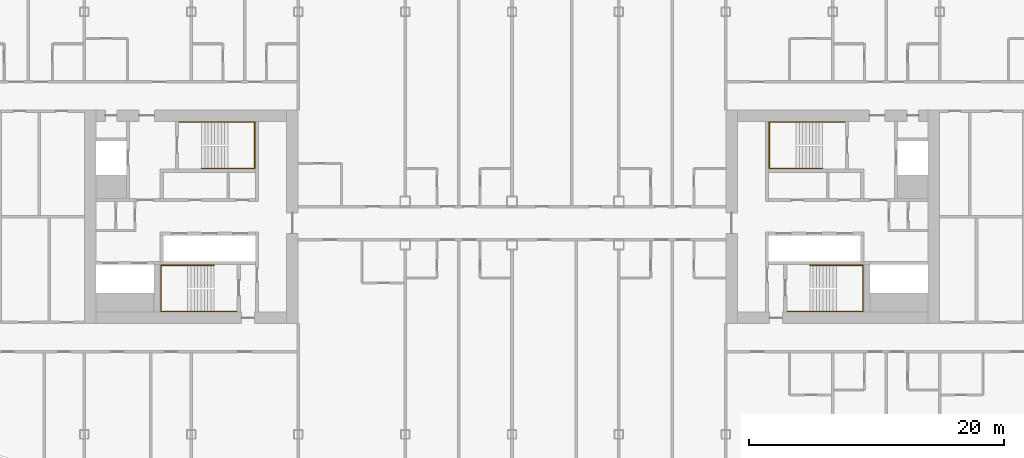
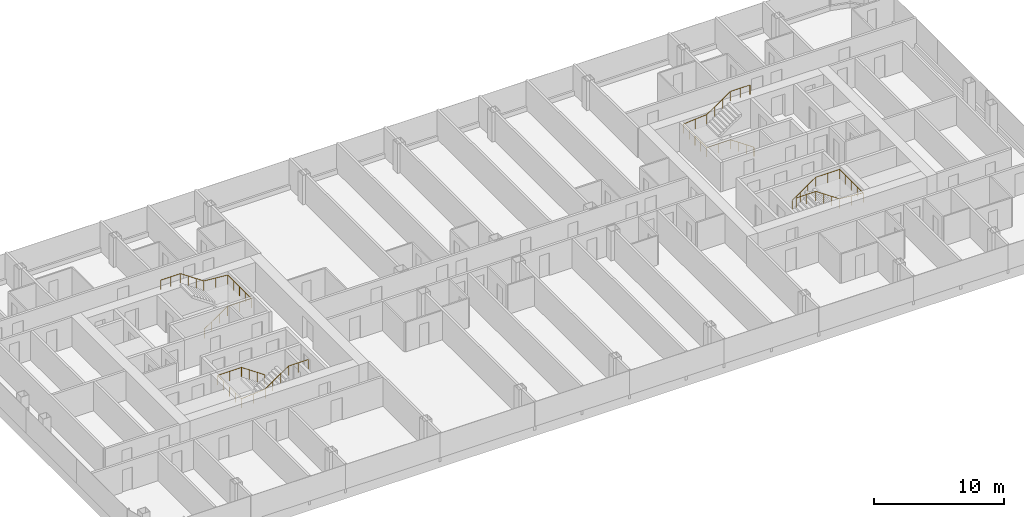
# One storey, part 26 of 26: 4 railings.
"""IFC4 building model written with IfcOpenShell, lengths in metres."""

from ifc_helpers import new_model, si_unit, direction, frame, origin, origin_2d, place, context, subcontext, project, spatial, circle, extrude, material, type_object, element, save


model = new_model("IFC4")

# Units and contexts
model_context = context("Model", 3, precision=1e-05, world=origin(), true_north=direction((0.0, 1.0)))
body_context = subcontext(model_context, "Body", "Model", "MODEL_VIEW")
ifc_project = project(units=[si_unit("LENGTHUNIT", "METRE"), si_unit("AREAUNIT", "SQUARE_METRE"), si_unit("VOLUMEUNIT", "CUBIC_METRE"), si_unit("PLANEANGLEUNIT", "RADIAN"), si_unit("MASSUNIT", "GRAM", prefix="KILO")], contexts=[model_context])

# Site, building, storey
site_placement = place(None, origin())
site = spatial("IfcSite", under=ifc_project, at=site_placement, CompositionType="ELEMENT")
building_placement = place(site_placement, origin())
building = spatial("IfcBuilding", under=site, at=building_placement, Name="Hakoniwa Tower and Hamabe Station Hall", CompositionType="ELEMENT")
storey_placement = place(building_placement, frame((0.0, 0.0, 153.39990234375)))
storey = spatial("IfcBuildingStorey", under=building, at=storey_placement, Name="L43", CompositionType="ELEMENT", Elevation=153.39990234375)

# Railings
ifc_material = material(Name="Stainless steel SUS304", Category="steel")
railing_type = type_object("IfcRailingType", Name="STAIR HANDRAIL 900", PredefinedType="HANDRAIL", material=ifc_material)
railing_1_placement = place(storey_placement, frame((-24.39990234375, 3.81005859375, 0.177978515625)))
element("IfcRailing", 1, at=railing_1_placement, inside=storey, type_object=railing_type, Name="Handrail ST-1 L43 1", PredefinedType="HANDRAIL", context=body_context, shape_type="SweptSolid", body=[
    extrude(circle(Radius=0.02392578125, at=origin_2d()), frame((0.0, 0.0, 0.8759765625), z_axis=(0.825478349766, 0.0, 0.564433781827), x_axis=(0.0, 1.0, 0.0)), (0.0, 0.0, 1.0), 2.51953125),
    extrude(circle(Radius=0.02392578125, at=origin_2d()), frame((2.079833984375, 0.0, 2.2978515625), z_axis=(1.0, 0.0, 0.0), x_axis=(0.0, 1.0, 0.0)), (0.0, 0.0, 1.0), 2.110107421875),
    extrude(circle(Radius=0.02392578125, at=origin_2d()), frame((4.18994140625, 0.0, 2.2978515625), z_axis=(0.0, 1.0, 0.0), x_axis=(-1.0, 0.0, 0.0)), (0.0, 0.0, 1.0), 3.6298828125),
    extrude(circle(Radius=0.02392578125, at=origin_2d()), frame((4.18994140625, 3.6298828125, 2.2978515625), z_axis=(-0.996471417081, 0.0, 0.083932800143), x_axis=(0.0, -1.0, 0.0)), (0.0, 0.0, 1.0), 2.11767578125),
    extrude(circle(Radius=0.02392578125, at=origin_2d()), frame((2.079833984375, 3.6298828125, 2.4755859375), z_axis=(-0.825433201882, 0.0, 0.564499804456), x_axis=(0.0, -1.0, 0.0)), (0.0, 0.0, 1.0), 2.519775390625),
    extrude(circle(Radius=0.02392578125, at=origin_2d()), frame((0.0, 3.6298828125, 3.89794921875), z_axis=(-1.0, 0.0, 0.0), x_axis=(0.0, -1.0, 0.0)), (0.0, 0.0, 1.0), 1.739990234375),
    extrude(circle(Radius=0.02099609375, at=origin_2d()), origin(), (0.0, 0.0, 1.0), 0.851806640625),
    extrude(circle(Radius=0.02099609375, at=origin_2d()), frame((0.693359375, 0.0, 0.47412109375)), (0.0, 0.0, 1.0), 0.851806640625),
    extrude(circle(Radius=0.02099609375, at=origin_2d()), frame((1.386474609375, 0.0, 0.947998046875)), (0.0, 0.0, 1.0), 0.851806640625),
    extrude(circle(Radius=0.02099609375, at=origin_2d()), frame((2.079833984375, 0.0, 1.422119140625)), (0.0, 0.0, 1.0), 0.851806640625),
    extrude(circle(Radius=0.02099609375, at=origin_2d()), frame((3.134765625, 0.0, 1.422119140625)), (0.0, 0.0, 1.0), 0.851806640625),
    extrude(circle(Radius=0.02099609375, at=origin_2d()), frame((4.18994140625, 0.0, 1.422119140625)), (0.0, 0.0, 1.0), 0.851806640625),
    extrude(circle(Radius=0.02099609375, at=origin_2d()), frame((4.18994140625, 0.907470703125, 1.422119140625)), (0.0, 0.0, 1.0), 0.851806640625),
    extrude(circle(Radius=0.02099609375, at=origin_2d()), frame((4.18994140625, 1.81494140625, 1.422119140625)), (0.0, 0.0, 1.0), 0.851806640625),
    extrude(circle(Radius=0.02099609375, at=origin_2d()), frame((4.18994140625, 2.722412109375, 1.422119140625)), (0.0, 0.0, 1.0), 0.851806640625),
    extrude(circle(Radius=0.02099609375, at=origin_2d()), frame((4.18994140625, 3.6298828125, 1.422119140625)), (0.0, 0.0, 1.0), 0.851806640625),
    extrude(circle(Radius=0.02099609375, at=origin_2d()), frame((3.134765625, 3.6298828125, 1.510986328125)), (0.0, 0.0, 1.0), 0.851806640625),
    extrude(circle(Radius=0.02099609375, at=origin_2d()), frame((2.079833984375, 3.6298828125, 1.599853515625)), (0.0, 0.0, 1.0), 0.851806640625),
    extrude(circle(Radius=0.02099609375, at=origin_2d()), frame((1.386474609375, 3.6298828125, 2.073974609375)), (0.0, 0.0, 1.0), 0.851806640625),
    extrude(circle(Radius=0.02099609375, at=origin_2d()), frame((0.693359375, 3.6298828125, 2.548095703125)), (0.0, 0.0, 1.0), 0.851806640625),
    extrude(circle(Radius=0.02099609375, at=origin_2d()), frame((0.0, 3.6298828125, 3.022216796875)), (0.0, 0.0, 1.0), 0.851806640625),
    extrude(circle(Radius=0.02099609375, at=origin_2d()), frame((-0.8701171875, 3.6298828125, 3.022216796875)), (0.0, 0.0, 1.0), 0.851806640625),
    extrude(circle(Radius=0.02099609375, at=origin_2d()), frame((-1.739990234375, 3.6298828125, 3.022216796875)), (0.0, 0.0, 1.0), 0.851806640625),
])
railing_2_placement = place(storey_placement, frame((-23.39990234375, -3.81005859375, 0.177978515625)))
element("IfcRailing", 2, at=railing_2_placement, inside=storey, type_object=railing_type, Name="Handrail ST-2 L43 1", PredefinedType="HANDRAIL", context=body_context, shape_type="SweptSolid", body=[
    extrude(circle(Radius=0.02392578125, at=origin_2d()), frame((0.0, 0.0, 0.8759765625), z_axis=(-0.82550921652, 0.0, 0.564388636881), x_axis=(0.0, -1.0, 0.0)), (0.0, 0.0, 1.0), 2.519775390625),
    extrude(circle(Radius=0.02392578125, at=origin_2d()), frame((-2.080078125, 0.0, 2.2978515625), z_axis=(-1.0, 0.0, 0.0), x_axis=(0.0, -1.0, 0.0)), (0.0, 0.0, 1.0), 2.110107421875),
    extrude(circle(Radius=0.02392578125, at=origin_2d()), frame((-4.190185546875, 0.0, 2.2978515625), z_axis=(0.0, -1.0, 0.0), x_axis=(1.0, 0.0, 0.0)), (0.0, 0.0, 1.0), 3.6298828125),
    extrude(circle(Radius=0.02392578125, at=origin_2d()), frame((-4.190185546875, -3.6298828125, 2.2978515625), z_axis=(0.996471417081, 0.0, 0.083932800143), x_axis=(0.0, 1.0, 0.0)), (0.0, 0.0, 1.0), 2.11767578125),
    extrude(circle(Radius=0.02392578125, at=origin_2d()), frame((-2.080078125, -3.6298828125, 2.4755859375), z_axis=(0.825464074169, 0.0, 0.564454659168), x_axis=(0.0, 1.0, 0.0)), (0.0, 0.0, 1.0), 2.519775390625),
    extrude(circle(Radius=0.02392578125, at=origin_2d()), frame((0.0, -3.6298828125, 3.89794921875), z_axis=(1.0, 0.0, 0.0), x_axis=(0.0, 1.0, 0.0)), (0.0, 0.0, 1.0), 1.739990234375),
    extrude(circle(Radius=0.02099609375, at=origin_2d()), origin(), (0.0, 0.0, 1.0), 0.851806640625),
    extrude(circle(Radius=0.02099609375, at=origin_2d()), frame((-0.693359375, 0.0, 0.47412109375)), (0.0, 0.0, 1.0), 0.851806640625),
    extrude(circle(Radius=0.02099609375, at=origin_2d()), frame((-1.38671875, 0.0, 0.947998046875)), (0.0, 0.0, 1.0), 0.851806640625),
    extrude(circle(Radius=0.02099609375, at=origin_2d()), frame((-2.080078125, 0.0, 1.422119140625)), (0.0, 0.0, 1.0), 0.851806640625),
    extrude(circle(Radius=0.02099609375, at=origin_2d()), frame((-3.13525390625, 0.0, 1.422119140625)), (0.0, 0.0, 1.0), 0.851806640625),
    extrude(circle(Radius=0.02099609375, at=origin_2d()), frame((-4.190185546875, 0.0, 1.422119140625)), (0.0, 0.0, 1.0), 0.851806640625),
    extrude(circle(Radius=0.02099609375, at=origin_2d()), frame((-4.190185546875, -0.907470703125, 1.422119140625)), (0.0, 0.0, 1.0), 0.851806640625),
    extrude(circle(Radius=0.02099609375, at=origin_2d()), frame((-4.190185546875, -1.81494140625, 1.422119140625)), (0.0, 0.0, 1.0), 0.851806640625),
    extrude(circle(Radius=0.02099609375, at=origin_2d()), frame((-4.190185546875, -2.722412109375, 1.422119140625)), (0.0, 0.0, 1.0), 0.851806640625),
    extrude(circle(Radius=0.02099609375, at=origin_2d()), frame((-4.190185546875, -3.6298828125, 1.422119140625)), (0.0, 0.0, 1.0), 0.851806640625),
    extrude(circle(Radius=0.02099609375, at=origin_2d()), frame((-3.13525390625, -3.6298828125, 1.510986328125)), (0.0, 0.0, 1.0), 0.851806640625),
    extrude(circle(Radius=0.02099609375, at=origin_2d()), frame((-2.080078125, -3.6298828125, 1.599853515625)), (0.0, 0.0, 1.0), 0.851806640625),
    extrude(circle(Radius=0.02099609375, at=origin_2d()), frame((-1.38671875, -3.6298828125, 2.073974609375)), (0.0, 0.0, 1.0), 0.851806640625),
    extrude(circle(Radius=0.02099609375, at=origin_2d()), frame((-0.693359375, -3.6298828125, 2.548095703125)), (0.0, 0.0, 1.0), 0.851806640625),
    extrude(circle(Radius=0.02099609375, at=origin_2d()), frame((0.0, -3.6298828125, 3.022216796875)), (0.0, 0.0, 1.0), 0.851806640625),
    extrude(circle(Radius=0.02099609375, at=origin_2d()), frame((0.8701171875, -3.6298828125, 3.022216796875)), (0.0, 0.0, 1.0), 0.851806640625),
    extrude(circle(Radius=0.02099609375, at=origin_2d()), frame((1.739990234375, -3.6298828125, 3.022216796875)), (0.0, 0.0, 1.0), 0.851806640625),
])
railing_3_placement = place(storey_placement, frame((24.39990234375, 3.81005859375, 0.177978515625)))
element("IfcRailing", 3, at=railing_3_placement, inside=storey, type_object=railing_type, Name="Handrail ST-3 L43 1", PredefinedType="HANDRAIL", context=body_context, shape_type="SweptSolid", body=[
    extrude(circle(Radius=0.02392578125, at=origin_2d()), frame((0.0, 0.0, 0.8759765625), z_axis=(-0.825478349766, 0.0, 0.564433781827), x_axis=(0.0, -1.0, 0.0)), (0.0, 0.0, 1.0), 2.51953125),
    extrude(circle(Radius=0.02392578125, at=origin_2d()), frame((-2.079833984375, 0.0, 2.2978515625), z_axis=(-1.0, 0.0, 0.0), x_axis=(0.0, -1.0, 0.0)), (0.0, 0.0, 1.0), 2.110107421875),
    extrude(circle(Radius=0.02392578125, at=origin_2d()), frame((-4.18994140625, 0.0, 2.2978515625), z_axis=(0.0, 1.0, 0.0), x_axis=(-1.0, 0.0, 0.0)), (0.0, 0.0, 1.0), 3.6298828125),
    extrude(circle(Radius=0.02392578125, at=origin_2d()), frame((-4.18994140625, 3.6298828125, 2.2978515625), z_axis=(0.996471417081, 0.0, 0.083932800143), x_axis=(0.0, 1.0, 0.0)), (0.0, 0.0, 1.0), 2.11767578125),
    extrude(circle(Radius=0.02392578125, at=origin_2d()), frame((-2.079833984375, 3.6298828125, 2.4755859375), z_axis=(0.825433201882, 0.0, 0.564499804456), x_axis=(0.0, 1.0, 0.0)), (0.0, 0.0, 1.0), 2.519775390625),
    extrude(circle(Radius=0.02392578125, at=origin_2d()), frame((0.0, 3.6298828125, 3.89794921875), z_axis=(1.0, 0.0, 0.0), x_axis=(0.0, 1.0, 0.0)), (0.0, 0.0, 1.0), 1.739990234375),
    extrude(circle(Radius=0.02099609375, at=origin_2d()), origin(), (0.0, 0.0, 1.0), 0.851806640625),
    extrude(circle(Radius=0.02099609375, at=origin_2d()), frame((-0.693359375, 0.0, 0.47412109375)), (0.0, 0.0, 1.0), 0.851806640625),
    extrude(circle(Radius=0.02099609375, at=origin_2d()), frame((-1.386474609375, 0.0, 0.947998046875)), (0.0, 0.0, 1.0), 0.851806640625),
    extrude(circle(Radius=0.02099609375, at=origin_2d()), frame((-2.079833984375, 0.0, 1.422119140625)), (0.0, 0.0, 1.0), 0.851806640625),
    extrude(circle(Radius=0.02099609375, at=origin_2d()), frame((-3.134765625, 0.0, 1.422119140625)), (0.0, 0.0, 1.0), 0.851806640625),
    extrude(circle(Radius=0.02099609375, at=origin_2d()), frame((-4.18994140625, 0.0, 1.422119140625)), (0.0, 0.0, 1.0), 0.851806640625),
    extrude(circle(Radius=0.02099609375, at=origin_2d()), frame((-4.18994140625, 0.907470703125, 1.422119140625)), (0.0, 0.0, 1.0), 0.851806640625),
    extrude(circle(Radius=0.02099609375, at=origin_2d()), frame((-4.18994140625, 1.81494140625, 1.422119140625)), (0.0, 0.0, 1.0), 0.851806640625),
    extrude(circle(Radius=0.02099609375, at=origin_2d()), frame((-4.18994140625, 2.722412109375, 1.422119140625)), (0.0, 0.0, 1.0), 0.851806640625),
    extrude(circle(Radius=0.02099609375, at=origin_2d()), frame((-4.18994140625, 3.6298828125, 1.422119140625)), (0.0, 0.0, 1.0), 0.851806640625),
    extrude(circle(Radius=0.02099609375, at=origin_2d()), frame((-3.134765625, 3.6298828125, 1.510986328125)), (0.0, 0.0, 1.0), 0.851806640625),
    extrude(circle(Radius=0.02099609375, at=origin_2d()), frame((-2.079833984375, 3.6298828125, 1.599853515625)), (0.0, 0.0, 1.0), 0.851806640625),
    extrude(circle(Radius=0.02099609375, at=origin_2d()), frame((-1.386474609375, 3.6298828125, 2.073974609375)), (0.0, 0.0, 1.0), 0.851806640625),
    extrude(circle(Radius=0.02099609375, at=origin_2d()), frame((-0.693359375, 3.6298828125, 2.548095703125)), (0.0, 0.0, 1.0), 0.851806640625),
    extrude(circle(Radius=0.02099609375, at=origin_2d()), frame((0.0, 3.6298828125, 3.022216796875)), (0.0, 0.0, 1.0), 0.851806640625),
    extrude(circle(Radius=0.02099609375, at=origin_2d()), frame((0.8701171875, 3.6298828125, 3.022216796875)), (0.0, 0.0, 1.0), 0.851806640625),
    extrude(circle(Radius=0.02099609375, at=origin_2d()), frame((1.739990234375, 3.6298828125, 3.022216796875)), (0.0, 0.0, 1.0), 0.851806640625),
])
railing_4_placement = place(storey_placement, frame((23.39990234375, -3.81005859375, 0.177978515625)))
element("IfcRailing", 4, at=railing_4_placement, inside=storey, type_object=railing_type, Name="Handrail ST-4 L43 1", PredefinedType="HANDRAIL", context=body_context, shape_type="SweptSolid", body=[
    extrude(circle(Radius=0.02392578125, at=origin_2d()), frame((0.0, 0.0, 0.8759765625), z_axis=(0.82550921652, 0.0, 0.564388636881), x_axis=(0.0, 1.0, 0.0)), (0.0, 0.0, 1.0), 2.519775390625),
    extrude(circle(Radius=0.02392578125, at=origin_2d()), frame((2.080078125, 0.0, 2.2978515625), z_axis=(1.0, 0.0, 0.0), x_axis=(0.0, 1.0, 0.0)), (0.0, 0.0, 1.0), 2.110107421875),
    extrude(circle(Radius=0.02392578125, at=origin_2d()), frame((4.190185546875, 0.0, 2.2978515625), z_axis=(0.0, -1.0, 0.0), x_axis=(1.0, 0.0, 0.0)), (0.0, 0.0, 1.0), 3.6298828125),
    extrude(circle(Radius=0.02392578125, at=origin_2d()), frame((4.190185546875, -3.6298828125, 2.2978515625), z_axis=(-0.996471417081, 0.0, 0.083932800143), x_axis=(0.0, -1.0, 0.0)), (0.0, 0.0, 1.0), 2.11767578125),
    extrude(circle(Radius=0.02392578125, at=origin_2d()), frame((2.080078125, -3.6298828125, 2.4755859375), z_axis=(-0.825464074169, 0.0, 0.564454659168), x_axis=(0.0, -1.0, 0.0)), (0.0, 0.0, 1.0), 2.519775390625),
    extrude(circle(Radius=0.02392578125, at=origin_2d()), frame((0.0, -3.6298828125, 3.89794921875), z_axis=(-1.0, 0.0, 0.0), x_axis=(0.0, -1.0, 0.0)), (0.0, 0.0, 1.0), 1.739990234375),
    extrude(circle(Radius=0.02099609375, at=origin_2d()), origin(), (0.0, 0.0, 1.0), 0.851806640625),
    extrude(circle(Radius=0.02099609375, at=origin_2d()), frame((0.693359375, 0.0, 0.47412109375)), (0.0, 0.0, 1.0), 0.851806640625),
    extrude(circle(Radius=0.02099609375, at=origin_2d()), frame((1.38671875, 0.0, 0.947998046875)), (0.0, 0.0, 1.0), 0.851806640625),
    extrude(circle(Radius=0.02099609375, at=origin_2d()), frame((2.080078125, 0.0, 1.422119140625)), (0.0, 0.0, 1.0), 0.851806640625),
    extrude(circle(Radius=0.02099609375, at=origin_2d()), frame((3.13525390625, 0.0, 1.422119140625)), (0.0, 0.0, 1.0), 0.851806640625),
    extrude(circle(Radius=0.02099609375, at=origin_2d()), frame((4.190185546875, 0.0, 1.422119140625)), (0.0, 0.0, 1.0), 0.851806640625),
    extrude(circle(Radius=0.02099609375, at=origin_2d()), frame((4.190185546875, -0.907470703125, 1.422119140625)), (0.0, 0.0, 1.0), 0.851806640625),
    extrude(circle(Radius=0.02099609375, at=origin_2d()), frame((4.190185546875, -1.81494140625, 1.422119140625)), (0.0, 0.0, 1.0), 0.851806640625),
    extrude(circle(Radius=0.02099609375, at=origin_2d()), frame((4.190185546875, -2.722412109375, 1.422119140625)), (0.0, 0.0, 1.0), 0.851806640625),
    extrude(circle(Radius=0.02099609375, at=origin_2d()), frame((4.190185546875, -3.6298828125, 1.422119140625)), (0.0, 0.0, 1.0), 0.851806640625),
    extrude(circle(Radius=0.02099609375, at=origin_2d()), frame((3.13525390625, -3.6298828125, 1.510986328125)), (0.0, 0.0, 1.0), 0.851806640625),
    extrude(circle(Radius=0.02099609375, at=origin_2d()), frame((2.080078125, -3.6298828125, 1.599853515625)), (0.0, 0.0, 1.0), 0.851806640625),
    extrude(circle(Radius=0.02099609375, at=origin_2d()), frame((1.38671875, -3.6298828125, 2.073974609375)), (0.0, 0.0, 1.0), 0.851806640625),
    extrude(circle(Radius=0.02099609375, at=origin_2d()), frame((0.693359375, -3.6298828125, 2.548095703125)), (0.0, 0.0, 1.0), 0.851806640625),
    extrude(circle(Radius=0.02099609375, at=origin_2d()), frame((0.0, -3.6298828125, 3.022216796875)), (0.0, 0.0, 1.0), 0.851806640625),
    extrude(circle(Radius=0.02099609375, at=origin_2d()), frame((-0.8701171875, -3.6298828125, 3.022216796875)), (0.0, 0.0, 1.0), 0.851806640625),
    extrude(circle(Radius=0.02099609375, at=origin_2d()), frame((-1.739990234375, -3.6298828125, 3.022216796875)), (0.0, 0.0, 1.0), 0.851806640625),
])

save(model, "model.ifc")
